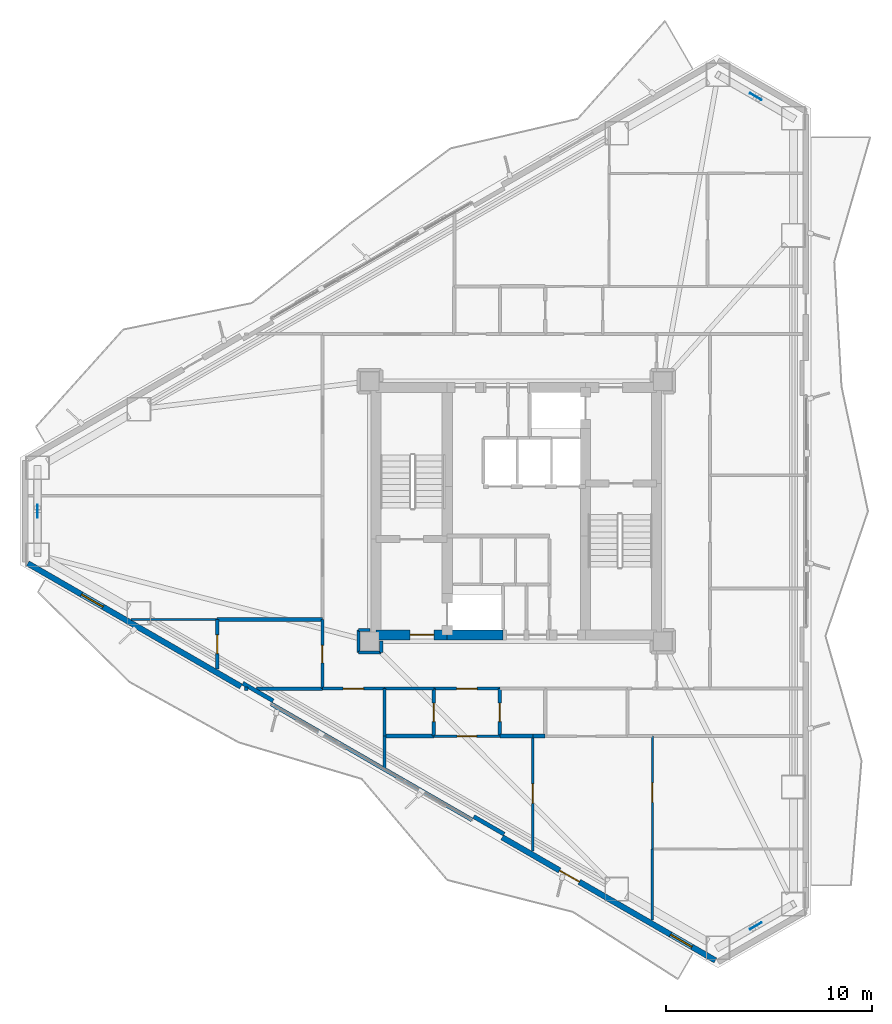
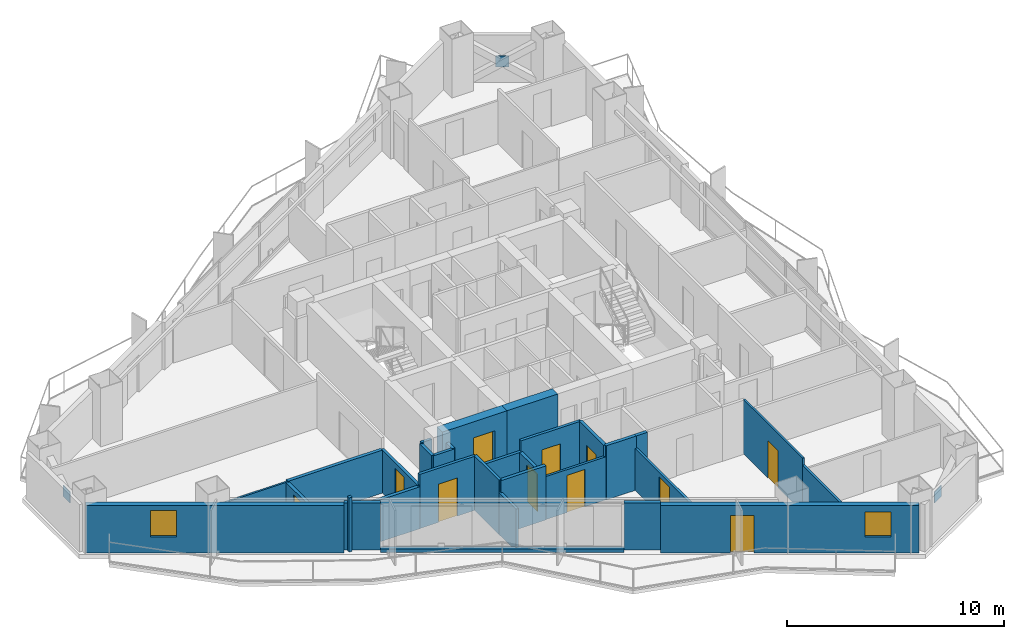
# One storey, part 15 of 22: 31 walls, 11 doors, 3 plates, 2 windows, 13 openings.
"""IFC4 building model written with IfcOpenShell, lengths in metres."""

import ifcopenshell
import ifcopenshell.guid

model = None  # the IFC model being written
_history = None  # IfcOwnerHistory: only IFC2X3 demands one
_inside = {}  # id of a spatial element -> (the spatial element, [elements in it])
_under = {}  # id of a project, library or spatial element -> (it, [spatial elements below it])
_declared = {}  # id of a project -> (the project, [libraries it declares])
_typed = {}  # id of a type object -> (the type object, [elements of that type])
_made_of = {}  # id of a material, layer set ... -> (it, [elements and type objects made of it])


def new_model(schema):
    """Start an empty IFC model of exactly this schema.

    Asked for "IFC4X3", IfcOpenShell would pick the latest addendum, in which some entities
    have other attributes; the version numbers below select the first issue.
    IFC2X3 requires an IfcOwnerHistory on every rooted entity: one is made here for all.
    """
    global model, _history
    if schema == "IFC4X3":
        model = ifcopenshell.file(schema_version=(4, 3, 0, 0))
    else:
        model = ifcopenshell.file(schema=schema)
    _inside.clear()
    _under.clear()
    _declared.clear()
    _typed.clear()
    _made_of.clear()
    _history = None
    if model.schema == "IFC2X3":
        org = make("IfcOrganization", Name="unknown")
        user = make(
            "IfcPersonAndOrganization",
            ThePerson=make("IfcPerson", FamilyName="unknown"),
            TheOrganization=org,
        )
        app = make(
            "IfcApplication",
            ApplicationDeveloper=org,
            Version="unknown",
            ApplicationFullName="unknown",
            ApplicationIdentifier="unknown",
        )
        _history = make(
            "IfcOwnerHistory",
            OwningUser=user,
            OwningApplication=app,
            ChangeAction="ADDED",
            CreationDate=0,
        )
    return model


def make(cls, **values):
    """One entity of the class cls with the attributes given. An attribute that is None is left unset."""
    return model.create_entity(
        cls, **{name: value for name, value in values.items() if value is not None}
    )


def rooted(cls, **values):
    """An entity with a GlobalId (a new one), such as an element, a storey or a relation."""
    return make(cls, GlobalId=ifcopenshell.guid.new(), OwnerHistory=_history, **values)


def si_unit(unit_type, name, prefix=None):
    """IfcSIUnit, for example si_unit("LENGTHUNIT", "METRE", prefix="MILLI")."""
    return make("IfcSIUnit", UnitType=unit_type, Prefix=prefix, Name=name)


def assignment(units):
    """IfcUnitAssignment: the units of a project."""
    return None if units is None else make("IfcUnitAssignment", Units=units)


def point(xyz):
    """IfcCartesianPoint."""
    return None if xyz is None else make("IfcCartesianPoint", Coordinates=xyz)


def direction(xyz):
    """IfcDirection."""
    return None if xyz is None else make("IfcDirection", DirectionRatios=xyz)


def frame(location, z_axis=None, x_axis=None):
    """IfcAxis2Placement3D, a coordinate frame: its origin and axes. An axis left out is left unset."""
    return make(
        "IfcAxis2Placement3D",
        Location=point(location),
        Axis=direction(z_axis),
        RefDirection=direction(x_axis),
    )


def frame_2d(location, x_axis=None):
    """IfcAxis2Placement2D, a coordinate frame in the plane: its origin and x axis."""
    return make(
        "IfcAxis2Placement2D", Location=point(location), RefDirection=direction(x_axis)
    )


def origin():
    """The frame at (0, 0, 0) with its axes left unset."""
    return frame((0.0, 0.0, 0.0))


def origin_2d():
    """The frame at (0, 0) in the plane with its x axis left unset."""
    return frame_2d((0.0, 0.0))


def place(relative_to, where):
    """IfcLocalPlacement: puts the frame where relative to a parent placement (None: the world)."""
    return make(
        "IfcLocalPlacement", PlacementRelTo=relative_to, RelativePlacement=where
    )


def context(
    kind, dimensions, precision=None, world=None, true_north=None, identifier=None
):
    """IfcGeometricRepresentationContext, for example the 3D "Model" context."""
    return make(
        "IfcGeometricRepresentationContext",
        ContextIdentifier=identifier,
        ContextType=kind,
        CoordinateSpaceDimension=dimensions,
        Precision=precision,
        WorldCoordinateSystem=world,
        TrueNorth=true_north,
    )


def subcontext(parent, identifier, kind, view, scale=None):
    """IfcGeometricRepresentationSubContext, for example "Body" below "Model"."""
    return make(
        "IfcGeometricRepresentationSubContext",
        ContextIdentifier=identifier,
        ContextType=kind,
        ParentContext=parent,
        TargetScale=scale,
        TargetView=view,
    )


def project(units=None, contexts=None):
    """IfcProject with its units and contexts."""
    return rooted(
        "IfcProject",
        Name="project",
        RepresentationContexts=contexts,
        UnitsInContext=assignment(units),
    )


def spatial(cls, under=None, at=None, **own):
    """A site, building, storey or space (cls), placed at a placement, below another one or the project."""
    s = rooted(cls, ObjectPlacement=at, **own)
    if under is not None:
        _under.setdefault(under.id(), (under, []))[1].append(s)
    return s


def profile(cls, at=None, kind="AREA", **sizes):
    """A parametric profile (cls). Its sizes go by their IFC names, for example OverallWidth=200.0."""
    return make(cls, ProfileType=kind, Position=at, **sizes)


def rectangle(**sizes):
    """IfcRectangleProfileDef."""
    return profile("IfcRectangleProfileDef", **sizes)


def extrude(swept, where, along, depth):
    """IfcExtrudedAreaSolid: the profile swept, set in the frame where, extruded along a direction by depth."""
    return make(
        "IfcExtrudedAreaSolid",
        SweptArea=swept,
        Position=where,
        ExtrudedDirection=direction(along),
        Depth=depth,
    )


def shape(context_of_items, identifier, shape_type, items):
    """IfcShapeRepresentation: the items that make up one representation, for example the "Body"."""
    return make(
        "IfcShapeRepresentation",
        ContextOfItems=context_of_items,
        RepresentationIdentifier=identifier,
        RepresentationType=shape_type,
        Items=items,
    )


def material(Name=None, Category=None):
    """IfcMaterial."""
    return make("IfcMaterial", Name=Name, Category=Category)


def layer(
    of_material, thickness, ventilated=None, Name=None, Category=None, Priority=None
):
    """IfcMaterialLayer: one layer of a wall or slab, of a material (None: an air gap)."""
    return make(
        "IfcMaterialLayer",
        Material=of_material,
        LayerThickness=thickness,
        IsVentilated=ventilated,
        Name=Name,
        Category=Category,
        Priority=Priority,
    )


def layer_set(layers, Name=None):
    """IfcMaterialLayerSet."""
    return make("IfcMaterialLayerSet", MaterialLayers=layers, LayerSetName=Name)


def made_of(thing, what):
    """Note that an element or type object is made of a material, layer set ...; save() writes the relation."""
    if what is not None:
        _made_of.setdefault(what.id(), (what, []))[1].append(thing)
    return thing


def type_object(cls, material=None, **own):
    """A type object (cls), such as IfcWallType, which elements share."""
    return made_of(rooted(cls, **own), material)


def element(
    cls,
    number,
    at=None,
    inside=None,
    cuts=None,
    type_object=None,
    material=None,
    context=None,
    identifier="Body",
    shape_type=None,
    held_by="IfcProductDefinitionShape",
    body=None,
    shapes=None,
    **own,
):
    """One element of the class cls, such as IfcWall. Its Tag is "e" and its number.

    at: its placement. inside: the storey or other place that contains it. cuts: it is an
    opening in that element (IfcRelVoidsElement). A single representation is given by context,
    identifier, shape_type and body (its items); several are given by shapes. held_by: the class
    of the entity that holds the representations. save() writes the other relations.
    """
    e = rooted(cls, Tag="e%d" % number, ObjectPlacement=at, **own)
    if body is not None:
        shapes = [shape(context, identifier, shape_type, body)]
    if shapes is not None:
        e.Representation = make(held_by, Representations=shapes)
    if inside is not None:
        _inside.setdefault(inside.id(), (inside, []))[1].append(e)
    if cuts is not None:
        rooted(
            "IfcRelVoidsElement", RelatingBuildingElement=cuts, RelatedOpeningElement=e
        )
    if type_object is not None:
        _typed.setdefault(type_object.id(), (type_object, []))[1].append(e)
    return made_of(e, material)


def fill(opening, filler):
    """IfcRelFillsElement: the door or window that sits in an opening."""
    return rooted(
        "IfcRelFillsElement",
        RelatingOpeningElement=opening,
        RelatedBuildingElement=filler,
    )


def aggregate(whole, parts):
    """IfcRelAggregates: a whole, such as a stair, and the parts it consists of."""
    return rooted("IfcRelAggregates", RelatingObject=whole, RelatedObjects=parts)


def save(model, path):
    """Write the relations noted so far, then the file.

    IfcRelAggregates (storeys below a building ...), IfcRelContainedInSpatialStructure (elements
    in a storey), IfcRelDefinesByType, IfcRelAssociatesMaterial and IfcRelDeclares: one each for
    every whole, place, type object, material and project.
    """
    for whole, parts in _under.values():
        aggregate(whole, parts)
    for where, things in _inside.values():
        rooted(
            "IfcRelContainedInSpatialStructure",
            RelatedElements=things,
            RelatingStructure=where,
        )
    for kind, things in _typed.values():
        rooted("IfcRelDefinesByType", RelatedObjects=things, RelatingType=kind)
    for what, things in _made_of.values():
        rooted("IfcRelAssociatesMaterial", RelatedObjects=things, RelatingMaterial=what)
    for by, libraries in _declared.values():
        rooted("IfcRelDeclares", RelatingContext=by, RelatedDefinitions=libraries)
    model.write(path)


model = new_model("IFC4")

# Units and contexts
model_context = context("Model", 3, precision=1e-05, world=origin(), true_north=direction((0.0, 1.0)))
body_context = subcontext(model_context, "Body", "Model", "MODEL_VIEW")
ifc_project = project(units=[si_unit("LENGTHUNIT", "METRE"), si_unit("AREAUNIT", "SQUARE_METRE"), si_unit("VOLUMEUNIT", "CUBIC_METRE"), si_unit("PLANEANGLEUNIT", "RADIAN"), si_unit("MASSUNIT", "GRAM", prefix="KILO")], contexts=[model_context])

# Site, building, storey
site_placement = place(None, origin())
site = spatial("IfcSite", under=ifc_project, at=site_placement, CompositionType="ELEMENT")
building_placement = place(site_placement, origin())
building = spatial("IfcBuilding", under=site, at=building_placement, Name="Mersakhor Tower and Convention Hall", CompositionType="ELEMENT")
storey_placement = place(building_placement, frame((0.0, 0.0, 86.699951171875)))
storey = spatial("IfcBuildingStorey", under=building, at=storey_placement, Name="L23", CompositionType="ELEMENT", Elevation=86.699951171875)

# Plates
ifc_material_1 = material(Name="Steel S460", Category="steel")
ifc_layer_1 = layer(ifc_material_1, 0.0400390625)
ifc_layer_set_1 = layer_set([ifc_layer_1], Name="Steel S460")
plate_type = type_object("IfcPlateType", Name="PL-GUSSET-40", PredefinedType="SHEET", material=ifc_layer_set_1)
for number, where, z_axis, x_axis, name in (
    (1, (40.606689453125, 46.853515625, 1.205078125), (0.0, 0.0, 1.0), (-0.866025403784, 0.5, 0.0), "L23 X-Brace Crossing Gusset Node Plate"),
    (2, (40.606689453125, 6.646728515625, 1.205078125), (0.0, 0.0, 1.0), (0.866025403784, 0.5, 0.0), "L23 X-Brace Crossing Gusset Node Plate"),
    (3, (5.78662109375, 26.75, 1.205078125), (0.0, 0.0, 1.0), (0.0, -1.0, 0.0), "L23 X-Brace Crossing Gusset Node Plate"),
):
    element("IfcPlate", number, at=place(storey_placement, frame(where, z_axis=z_axis, x_axis=x_axis)), inside=storey, type_object=plate_type, Name=name, PredefinedType="SHEET", context=body_context, shape_type="SweptSolid", body=[
        extrude(rectangle(XDim=0.639892578125, YDim=0.0400390625, at=origin_2d()), origin(), (0.0, 0.0, 1.0), 0.639892578125),
    ])

# Wall, openings, door, window
ifc_material_2 = material(Name="Precast concrete C45/55", Category="concrete")
ifc_layer_2 = layer(ifc_material_2, 0.27490234375)
ifc_layer_set_2 = layer_set([ifc_layer_2], Name="Precast concrete C45/55")
wall_type_1 = type_object("IfcWallType", Name="WL-EXT-275", PredefinedType="SOLIDWALL", material=ifc_layer_set_2)
wall_1_placement = place(storey_placement, frame((38.648681640625, 4.973388671875, 0.0), z_axis=(0.0, 0.0, 1.0), x_axis=(-0.866023023012, 0.500004123596, 0.0)))
wall_1 = element("IfcWall", 4, at=wall_1_placement, inside=storey, type_object=wall_type_1, Name="L23 Exterior Facade Wall F3-B1", PredefinedType="SOLIDWALL", context=body_context, shape_type="SweptSolid", body=[
    extrude(rectangle(XDim=11.9296875, YDim=0.27490234375, at=frame_2d((5.96484375, 0.0))), origin(), (0.0, 0.0, 1.0), 2.670166015625),
])
opening_1_placement = place(wall_1_placement, frame((7.615966796875, 0.0, 0.0)))
opening_1 = element("IfcOpeningElement", 5, at=opening_1_placement, cuts=wall_1, Name="Opening BD-02", PredefinedType="OPENING", context=body_context, shape_type="SweptSolid", body=[
    extrude(rectangle(XDim=1.10009765625, YDim=2.10009765625, at=frame_2d((0.550048828125, 1.050048828125))), frame((0.0, 0.1474609375, 0.0), z_axis=(0.0, -1.0, 0.0), x_axis=(1.0, 0.0, 0.0)), (0.0, 0.0, 1.0), 0.294921875),
])
opening_2_placement = place(wall_1_placement, frame((1.304931640625, 0.0, 0.89990234375)))
opening_2 = element("IfcOpeningElement", 6, at=opening_2_placement, cuts=wall_1, Name="Opening W-01", PredefinedType="OPENING", context=body_context, shape_type="SweptSolid", body=[
    extrude(rectangle(XDim=1.199951171875, YDim=1.39990234375, at=frame_2d((0.60009765625, 0.699951171875))), frame((0.0, 0.1474609375, 0.0), z_axis=(0.0, -1.0, 0.0), x_axis=(1.0, 0.0, 0.0)), (0.0, 0.0, 1.0), 0.294921875),
])
ifc_material_3 = material(Name="Thermally broken dark aluminium and safety glass", Category="aluminium")
door_type_1 = type_object("IfcDoorType", Name="DR-BAL-110x210", OperationType="NOTDEFINED", PredefinedType="DOOR", material=ifc_material_3)
door_1_placement = place(opening_1_placement, origin())
door_1 = element("IfcDoor", 7, at=door_1_placement, inside=storey, type_object=door_type_1, Name="L23 Balcony Terrace Door F3-B1", OperationType="SINGLE_SWING_RIGHT", OverallHeight=2.10009765625, OverallWidth=1.10009765625, PredefinedType="DOOR", context=body_context, shape_type="SweptSolid", body=[
    extrude(rectangle(XDim=1.10009765625, YDim=2.10009765625, at=frame_2d((0.550048828125, 1.050048828125))), frame((0.0, 0.02490234375, 0.0), z_axis=(0.0, -1.0, 0.0), x_axis=(1.0, 0.0, 0.0)), (0.0, 0.0, 1.0), 0.050048828125),
])
fill(opening_1, door_1)
ifc_material_4 = material(Name="Dark solar low-E glazed aluminium window", Category="aluminium")
window_type = type_object("IfcWindowType", Name="WN-RES-120x150", PartitioningType="SINGLE_PANEL", PredefinedType="WINDOW", material=ifc_material_4)
window_1_placement = place(opening_2_placement, origin())
window_1 = element("IfcWindow", 8, at=window_1_placement, inside=storey, type_object=window_type, Name="L23 Bedroom Facade Window F3-B1-1", OverallHeight=1.39990234375, OverallWidth=1.199951171875, PartitioningType="SINGLE_PANEL", PredefinedType="WINDOW", context=body_context, shape_type="SweptSolid", body=[
    extrude(rectangle(XDim=1.199951171875, YDim=1.39990234375, at=frame_2d((0.60009765625, 0.699951171875))), frame((0.0, 0.030029296875, 0.0), z_axis=(0.0, -1.0, 0.0), x_axis=(1.0, 0.0, 0.0)), (0.0, 0.0, 1.0), 0.06005859375),
])
fill(opening_2, window_1)

# Wall, opening, window
wall_2_placement = place(storey_placement, frame((15.64794921875, 18.2529296875, 0.0), z_axis=(0.0, 0.0, 1.0), x_axis=(-0.866023023012, 0.500004123596, 0.0)))
wall_2 = element("IfcWall", 9, at=wall_2_placement, inside=storey, type_object=wall_type_1, Name="L23 Exterior Facade Wall F3-B3", PredefinedType="SOLIDWALL", context=body_context, shape_type="SweptSolid", body=[
    extrude(rectangle(XDim=11.9296875, YDim=0.27490234375, at=frame_2d((5.96484375, 0.0))), origin(), (0.0, 0.0, 1.0), 2.670166015625),
])
opening_3_placement = place(wall_2_placement, frame((7.72509765625, 0.0, 0.89990234375)))
opening_3 = element("IfcOpeningElement", 10, at=opening_3_placement, cuts=wall_2, Name="Opening W-01", PredefinedType="OPENING", context=body_context, shape_type="SweptSolid", body=[
    extrude(rectangle(XDim=1.199951171875, YDim=1.5, at=frame_2d((0.60009765625, 0.75))), frame((0.0, 0.1474609375, 0.0), z_axis=(0.0, -1.0, 0.0), x_axis=(1.0, 0.0, 0.0)), (0.0, 0.0, 1.0), 0.294921875),
])
window_2_placement = place(opening_3_placement, origin())
window_2 = element("IfcWindow", 11, at=window_2_placement, inside=storey, type_object=window_type, Name="L23 Facade Punched Window F3-B3", OverallHeight=1.5, OverallWidth=1.199951171875, PartitioningType="SINGLE_PANEL", PredefinedType="WINDOW", context=body_context, shape_type="SweptSolid", body=[
    extrude(rectangle(XDim=1.199951171875, YDim=1.5, at=frame_2d((0.60009765625, 0.75))), frame((0.0, 0.030029296875, 0.0), z_axis=(0.0, -1.0, 0.0), x_axis=(1.0, 0.0, 0.0)), (0.0, 0.0, 1.0), 0.06005859375),
])
fill(opening_3, window_2)

# Walls
ifc_material_5 = material(Name="Precast concrete C40/50", Category="concrete")
ifc_layer_3 = layer(ifc_material_5, 0.199951171875)
ifc_layer_set_3 = layer_set([ifc_layer_3], Name="Precast concrete C40/50")
wall_type_2 = type_object("IfcWallType", Name="WL-PAR-200", PredefinedType="PARAPET", material=ifc_layer_set_3)
wall_3_placement = place(storey_placement, frame((26.84521484375, 11.788330078125, 0.0), z_axis=(0.0, 0.0, 1.0), x_axis=(-0.866027010039, 0.499997217876, 0.0)))
element("IfcWall", 12, at=wall_3_placement, inside=storey, type_object=wall_type_2, Name="L23 Curtain Wall Upstand Sill F3-B2", PredefinedType="PARAPET", context=body_context, shape_type="SweptSolid", body=[
    extrude(rectangle(XDim=11.2294921875, YDim=0.199951171875, at=frame_2d((5.61474609375, 0.0))), origin(), (0.0, 0.0, 1.0), 0.199951171875),
])
wall_4_placement = place(storey_placement, frame((28.407470703125, 11.09423828125, 0.0), z_axis=(0.0, 0.0, 1.0), x_axis=(-0.86605165483, 0.499954529098, 0.0)))
element("IfcWall", 13, at=wall_4_placement, inside=storey, type_object=wall_type_2, Name="L23 Column Pier Cladding Wall F3-C1", PredefinedType="PARAPET", context=body_context, shape_type="SweptSolid", body=[
    extrude(rectangle(XDim=1.699951171875, YDim=0.199951171875, at=frame_2d((0.85009765625, 0.0))), origin(), (0.0, 0.0, 1.0), 2.670166015625),
])
wall_5_placement = place(storey_placement, frame((17.210205078125, 17.558837890625, 0.0), z_axis=(0.0, 0.0, 1.0), x_axis=(-0.866025371046, 0.500000056704, 0.0)))
element("IfcWall", 14, at=wall_5_placement, inside=storey, type_object=wall_type_2, Name="L23 Column Pier Cladding Wall F3-C2", PredefinedType="PARAPET", context=body_context, shape_type="SweptSolid", body=[
    extrude(rectangle(XDim=1.7001953125, YDim=0.199951171875, at=frame_2d((0.85009765625, 0.0))), origin(), (0.0, 0.0, 1.0), 2.670166015625),
])

# Wall, opening, door
ifc_material_6 = material(Name="Moisture-resistant acoustic drywall studwork", Category="other")
ifc_layer_4 = layer(ifc_material_6, 0.175048828125)
ifc_layer_set_4 = layer_set([ifc_layer_4], Name="Moisture-resistant acoustic drywall studwork")
wall_type_3 = type_object("IfcWallType", Name="WL-PLM-175", PredefinedType="PLUMBINGWALL", material=ifc_layer_set_4)
wall_6_placement = place(storey_placement, frame((25.0, 15.85009765625, 0.0), z_axis=(0.0, 0.0, 1.0), x_axis=(0.0, 1.0, 0.0)))
wall_6 = element("IfcWall", 15, at=wall_6_placement, inside=storey, type_object=wall_type_3, Name="L23 Interior Partition Wall P-064", PredefinedType="PLUMBINGWALL", context=body_context, shape_type="SweptSolid", body=[
    extrude(rectangle(XDim=2.2998046875, YDim=0.175048828125, at=frame_2d((1.14990234375, 0.0))), origin(), (0.0, 0.0, 1.0), 2.4228515625),
])
opening_4_placement = place(wall_6_placement, frame((0.699951171875, 0.0, 0.0)))
opening_4 = element("IfcOpeningElement", 16, at=opening_4_placement, cuts=wall_6, Name="Opening WD-01", PredefinedType="OPENING", context=body_context, shape_type="SweptSolid", body=[
    extrude(rectangle(XDim=0.89990234375, YDim=2.10009765625, at=frame_2d((0.449951171875, 1.050048828125))), frame((0.0, 0.097412109375, 0.0), z_axis=(0.0, -1.0, 0.0), x_axis=(1.0, 0.0, 0.0)), (0.0, 0.0, 1.0), 0.195068359375),
])
ifc_material_7 = material(Name="Solid-core hardwood leaf in painted steel frame", Category="steel")
door_type_2 = type_object("IfcDoorType", Name="DR-INT-WET-090x210", OperationType="NOTDEFINED", PredefinedType="DOOR", material=ifc_material_7)
door_2_placement = place(opening_4_placement, origin())
door_2 = element("IfcDoor", 17, at=door_2_placement, inside=storey, type_object=door_type_2, Name="L23 L23 Flat S2 Apartment Hall to L23 Flat S2 Bathroom Door", OperationType="SINGLE_SWING_RIGHT", OverallHeight=2.10009765625, OverallWidth=0.89990234375, PredefinedType="DOOR", context=body_context, shape_type="SweptSolid", body=[
    extrude(rectangle(XDim=0.89990234375, YDim=2.10009765625, at=frame_2d((0.449951171875, 1.050048828125))), frame((0.0, 0.02490234375, 0.0), z_axis=(0.0, -1.0, 0.0), x_axis=(1.0, 0.0, 0.0)), (0.0, 0.0, 1.0), 0.050048828125),
])
fill(opening_4, door_2)

wall_7_placement = place(storey_placement, frame((28.199951171875, 18.14990234375, 0.0), z_axis=(0.0, 0.0, 1.0), x_axis=(0.0, -1.0, 0.0)))
wall_7 = element("IfcWall", 18, at=wall_7_placement, inside=storey, type_object=wall_type_3, Name="L23 Interior Partition Wall P-065", PredefinedType="PLUMBINGWALL", context=body_context, shape_type="SweptSolid", body=[
    extrude(rectangle(XDim=2.2998046875, YDim=0.175048828125, at=frame_2d((1.14990234375, 0.0))), origin(), (0.0, 0.0, 1.0), 3.050048828125),
])
opening_5_placement = place(wall_7_placement, frame((0.699951171875, 0.0, 0.0)))
opening_5 = element("IfcOpeningElement", 19, at=opening_5_placement, cuts=wall_7, Name="Opening WD-01", PredefinedType="OPENING", context=body_context, shape_type="SweptSolid", body=[
    extrude(rectangle(XDim=0.89990234375, YDim=2.10009765625, at=frame_2d((0.449951171875, 1.050048828125))), frame((0.0, 0.097412109375, 0.0), z_axis=(0.0, -1.0, 0.0), x_axis=(1.0, 0.0, 0.0)), (0.0, 0.0, 1.0), 0.195068359375),
])
door_3_placement = place(opening_5_placement, origin())
door_3 = element("IfcDoor", 20, at=door_3_placement, inside=storey, type_object=door_type_2, Name="L23 L23 Flat S2 Apartment Hall to L23 Flat S2 En-Suite Shower Room Door", OperationType="SINGLE_SWING_LEFT", OverallHeight=2.10009765625, OverallWidth=0.89990234375, PredefinedType="DOOR", context=body_context, shape_type="SweptSolid", body=[
    extrude(rectangle(XDim=0.89990234375, YDim=2.10009765625, at=frame_2d((0.449951171875, 1.050048828125))), frame((0.0, 0.02490234375, 0.0), z_axis=(0.0, -1.0, 0.0), x_axis=(1.0, 0.0, 0.0)), (0.0, 0.0, 1.0), 0.050048828125),
])
fill(opening_5, door_3)

# Walls
wall_8_placement = place(storey_placement, frame((14.5, 21.5, 0.0), z_axis=(0.0, 0.0, 1.0), x_axis=(1.0, 0.0, 0.0)))
element("IfcWall", 21, at=wall_8_placement, inside=storey, type_object=wall_type_3, Name="L23 Interior Partition Wall P-069", PredefinedType="PLUMBINGWALL", context=body_context, shape_type="SweptSolid", body=[
    extrude(rectangle(XDim=5.10009765625, YDim=0.175048828125, at=frame_2d((2.550048828125, 0.0))), origin(), (0.0, 0.0, 1.0), 2.4228515625),
])
wall_9_placement = place(storey_placement, frame((19.60009765625, 18.14990234375, 0.0), z_axis=(0.0, 0.0, 1.0), x_axis=(-1.0, 0.0, 0.0)))
element("IfcWall", 22, at=wall_9_placement, inside=storey, type_object=wall_type_3, Name="L23 Interior Partition Wall P-070", PredefinedType="PLUMBINGWALL", context=body_context, shape_type="SweptSolid", body=[
    extrude(rectangle(XDim=3.188232421875, YDim=0.175048828125, at=frame_2d((1.59423828125, 0.0))), origin(), (0.0, 0.0, 1.0), 2.364990234375),
])
wall_10_placement = place(storey_placement, frame((15.981201171875, 18.14990234375, 0.0), z_axis=(0.0, 0.0, 1.0), x_axis=(-1.0, 0.0, 0.0)))
element("IfcWall", 23, at=wall_10_placement, inside=storey, type_object=wall_type_3, Name="L23 Interior Partition Wall P-071", PredefinedType="PLUMBINGWALL", context=body_context, shape_type="SweptSolid", body=[
    extrude(rectangle(XDim=0.1552734375, YDim=0.175048828125, at=frame_2d((0.07763671875, 0.0))), origin(), (0.0, 0.0, 1.0), 3.050048828125),
])

# Wall, opening, door
wall_11_placement = place(storey_placement, frame((14.5, 19.102294921875, 0.0), z_axis=(0.0, 0.0, 1.0), x_axis=(0.0, 1.0, 0.0)))
wall_11 = element("IfcWall", 24, at=wall_11_placement, inside=storey, type_object=wall_type_3, Name="L23 Interior Partition Wall P-072", PredefinedType="PLUMBINGWALL", context=body_context, shape_type="SweptSolid", body=[
    extrude(rectangle(XDim=2.397705078125, YDim=0.175048828125, at=frame_2d((1.19873046875, 0.0))), origin(), (0.0, 0.0, 1.0), 2.364990234375),
])
opening_6_placement = place(wall_11_placement, frame((0.748779296875, 0.0, 0.0)))
opening_6 = element("IfcOpeningElement", 25, at=opening_6_placement, cuts=wall_11, Name="Opening WD-01", PredefinedType="OPENING", context=body_context, shape_type="SweptSolid", body=[
    extrude(rectangle(XDim=0.89990234375, YDim=2.10009765625, at=frame_2d((0.449951171875, 1.050048828125))), frame((0.0, 0.097412109375, 0.0), z_axis=(0.0, -1.0, 0.0), x_axis=(1.0, 0.0, 0.0)), (0.0, 0.0, 1.0), 0.195068359375),
])
door_4_placement = place(opening_6_placement, origin())
door_4 = element("IfcDoor", 26, at=door_4_placement, inside=storey, type_object=door_type_2, Name="L23 L23 West Wing Public Restroom WC to L23 West Wing Quiet Focus Room Door", OperationType="SINGLE_SWING_RIGHT", OverallHeight=2.10009765625, OverallWidth=0.89990234375, PredefinedType="DOOR", context=body_context, shape_type="SweptSolid", body=[
    extrude(rectangle(XDim=0.89990234375, YDim=2.10009765625, at=frame_2d((0.449951171875, 1.050048828125))), frame((0.0, 0.02490234375, 0.0), z_axis=(0.0, -1.0, 0.0), x_axis=(1.0, 0.0, 0.0)), (0.0, 0.0, 1.0), 0.050048828125),
])
fill(opening_6, door_4)

# Walls
wall_12_placement = place(storey_placement, frame((25.0, 15.85009765625, 0.0), z_axis=(0.0, 0.0, 1.0), x_axis=(-1.0, 0.0, 0.0)))
element("IfcWall", 27, at=wall_12_placement, inside=storey, type_object=wall_type_3, Name="L23 Interior Partition Wall P-078", PredefinedType="PLUMBINGWALL", context=body_context, shape_type="SweptSolid", body=[
    extrude(rectangle(XDim=2.39990234375, YDim=0.175048828125, at=frame_2d((1.199951171875, 0.0))), origin(), (0.0, 0.0, 1.0), 3.050048828125),
])
wall_13_placement = place(storey_placement, frame((30.39990234375, 15.85009765625, 0.0), z_axis=(0.0, 0.0, 1.0), x_axis=(-1.0, 0.0, 0.0)))
element("IfcWall", 28, at=wall_13_placement, inside=storey, type_object=wall_type_3, Name="L23 Interior Partition Wall P-080", PredefinedType="PLUMBINGWALL", context=body_context, shape_type="SweptSolid", body=[
    extrude(rectangle(XDim=0.599853515625, YDim=0.175048828125, at=frame_2d((0.2998046875, 0.0))), origin(), (0.0, 0.0, 1.0), 3.050048828125),
])
wall_14_placement = place(storey_placement, frame((29.800048828125, 15.85009765625, 0.0), z_axis=(0.0, 0.0, 1.0), x_axis=(-1.0, 0.0, 0.0)))
element("IfcWall", 29, at=wall_14_placement, inside=storey, type_object=wall_type_3, Name="L23 Interior Partition Wall P-081", PredefinedType="PLUMBINGWALL", context=body_context, shape_type="SweptSolid", body=[
    extrude(rectangle(XDim=1.60009765625, YDim=0.175048828125, at=frame_2d((0.800048828125, 0.0))), origin(), (0.0, 0.0, 1.0), 3.050048828125),
])
ifc_material_8 = material(Name="Lightweight gypsum partition", Category="other")
ifc_layer_5 = layer(ifc_material_8, 0.10009765625)
ifc_layer_set_5 = layer_set([ifc_layer_5], Name="Lightweight gypsum partition")
wall_type_4 = type_object("IfcWallType", Name="WL-PRT-100", PredefinedType="PARTITIONING", material=ifc_layer_set_5)
wall_15_placement = place(storey_placement, frame((14.5, 21.5, 0.0), z_axis=(0.0, 0.0, 1.0), x_axis=(-1.0, 0.0, 0.0)))
element("IfcWall", 30, at=wall_15_placement, inside=storey, type_object=wall_type_4, Name="L23 Interior Partition Wall P-094", PredefinedType="PARTITIONING", context=body_context, shape_type="SweptSolid", body=[
    extrude(rectangle(XDim=4.182373046875, YDim=0.10009765625, at=frame_2d((2.09130859375, 0.0))), origin(), (0.0, 0.0, 1.0), 2.364990234375),
])

# Wall, opening, door
wall_16_placement = place(storey_placement, frame((35.60009765625, 15.85009765625, 0.0), z_axis=(0.0, 0.0, 1.0), x_axis=(0.0, -1.0, 0.0)))
wall_16 = element("IfcWall", 31, at=wall_16_placement, inside=storey, type_object=wall_type_4, Name="L23 Interior Partition Wall P-104", PredefinedType="PARTITIONING", context=body_context, shape_type="SweptSolid", body=[
    extrude(rectangle(XDim=5.47998046875, YDim=0.10009765625, at=frame_2d((2.739990234375, 0.0))), origin(), (0.0, 0.0, 1.0), 3.050048828125),
])
opening_7_placement = place(wall_16_placement, frame((2.264892578125, 0.0, 0.0)))
opening_7 = element("IfcOpeningElement", 32, at=opening_7_placement, cuts=wall_16, Name="Opening RD-01", PredefinedType="OPENING", context=body_context, shape_type="SweptSolid", body=[
    extrude(rectangle(XDim=0.949951171875, YDim=2.10009765625, at=frame_2d((0.47509765625, 1.050048828125))), frame((0.0, 0.06005859375, 0.0), z_axis=(0.0, -1.0, 0.0), x_axis=(1.0, 0.0, 0.0)), (0.0, 0.0, 1.0), 0.1201171875),
])
ifc_material_9 = material(Name="Solid-core hardwood leaf in painted steel frame", Category="steel")
door_type_3 = type_object("IfcDoorType", Name="DR-INT-RM-095x210", OperationType="NOTDEFINED", PredefinedType="DOOR", material=ifc_material_9)
door_5_placement = place(opening_7_placement, origin())
door_5 = element("IfcDoor", 33, at=door_5_placement, inside=storey, type_object=door_type_3, Name="L23 L23 Flat S2 Master Bedroom to L23 Flat S2 Dining Room Door", OperationType="SINGLE_SWING_LEFT", OverallHeight=2.10009765625, OverallWidth=0.949951171875, PredefinedType="DOOR", context=body_context, shape_type="SweptSolid", body=[
    extrude(rectangle(XDim=0.949951171875, YDim=2.10009765625, at=frame_2d((0.47509765625, 1.050048828125))), frame((0.0, 0.02490234375, 0.0), z_axis=(0.0, -1.0, 0.0), x_axis=(1.0, 0.0, 0.0)), (0.0, 0.0, 1.0), 0.050048828125),
])
fill(opening_7, door_5)

ifc_material_10 = material(Name="Gypsum board acoustic partition", Category="other")
ifc_layer_6 = layer(ifc_material_10, 0.125)
ifc_layer_set_6 = layer_set([ifc_layer_6], Name="Gypsum board acoustic partition")
wall_type_5 = type_object("IfcWallType", Name="WL-PRT-125", PredefinedType="PARTITIONING", material=ifc_layer_set_6)
wall_17_placement = place(storey_placement, frame((28.199951171875, 15.85009765625, 0.0), z_axis=(0.0, 0.0, 1.0), x_axis=(-1.0, 0.0, 0.0)))
wall_17 = element("IfcWall", 34, at=wall_17_placement, inside=storey, type_object=wall_type_5, Name="L23 Interior Partition Wall P-063", PredefinedType="PARTITIONING", context=body_context, shape_type="SweptSolid", body=[
    extrude(rectangle(XDim=3.199951171875, YDim=0.125, at=frame_2d((1.60009765625, 0.0))), origin(), (0.0, 0.0, 1.0), 2.4228515625),
])
opening_8_placement = place(wall_17_placement, frame((1.125, 0.0, 0.0)))
opening_8 = element("IfcOpeningElement", 35, at=opening_8_placement, cuts=wall_17, Name="Opening RD-01", PredefinedType="OPENING", context=body_context, shape_type="SweptSolid", body=[
    extrude(rectangle(XDim=0.949951171875, YDim=2.10009765625, at=frame_2d((0.47509765625, 1.050048828125))), frame((0.0, 0.072509765625, 0.0), z_axis=(0.0, -1.0, 0.0), x_axis=(1.0, 0.0, 0.0)), (0.0, 0.0, 1.0), 0.14501953125),
])
door_6_placement = place(opening_8_placement, origin())
door_6 = element("IfcDoor", 36, at=door_6_placement, inside=storey, type_object=door_type_3, Name="L23 L23 Flat S2 Apartment Hall to L23 Flat S2 Living and Dining Room Door", OperationType="SINGLE_SWING_RIGHT", OverallHeight=2.10009765625, OverallWidth=0.949951171875, PredefinedType="DOOR", context=body_context, shape_type="SweptSolid", body=[
    extrude(rectangle(XDim=0.949951171875, YDim=2.10009765625, at=frame_2d((0.47509765625, 1.050048828125))), frame((0.0, 0.02490234375, 0.0), z_axis=(0.0, -1.0, 0.0), x_axis=(1.0, 0.0, 0.0)), (0.0, 0.0, 1.0), 0.050048828125),
])
fill(opening_8, door_6)

wall_18_placement = place(storey_placement, frame((29.800048828125, 15.85009765625, 0.0), z_axis=(0.0, 0.0, 1.0), x_axis=(0.0, -1.0, 0.0)))
wall_18 = element("IfcWall", 37, at=wall_18_placement, inside=storey, type_object=wall_type_5, Name="L23 Interior Partition Wall P-103", PredefinedType="PARTITIONING", context=body_context, shape_type="SweptSolid", body=[
    extrude(rectangle(XDim=5.581298828125, YDim=0.125, at=frame_2d((2.79052734375, 0.0))), origin(), (0.0, 0.0, 1.0), 2.364990234375),
])
opening_9_placement = place(wall_18_placement, frame((2.3154296875, 0.0, 0.0)))
opening_9 = element("IfcOpeningElement", 38, at=opening_9_placement, cuts=wall_18, Name="Opening RD-01", PredefinedType="OPENING", context=body_context, shape_type="SweptSolid", body=[
    extrude(rectangle(XDim=0.949951171875, YDim=2.10009765625, at=frame_2d((0.47509765625, 1.050048828125))), frame((0.0, 0.072509765625, 0.0), z_axis=(0.0, -1.0, 0.0), x_axis=(1.0, 0.0, 0.0)), (0.0, 0.0, 1.0), 0.14501953125),
])
door_7_placement = place(opening_9_placement, origin())
door_7 = element("IfcDoor", 39, at=door_7_placement, inside=storey, type_object=door_type_3, Name="L23 L23 Flat S2 Living and Dining Room to L23 Flat S2 Master Bedroom Door", OperationType="SINGLE_SWING_RIGHT", OverallHeight=2.10009765625, OverallWidth=0.949951171875, PredefinedType="DOOR", context=body_context, shape_type="SweptSolid", body=[
    extrude(rectangle(XDim=0.949951171875, YDim=2.10009765625, at=frame_2d((0.47509765625, 1.050048828125))), frame((0.0, 0.02490234375, 0.0), z_axis=(0.0, -1.0, 0.0), x_axis=(1.0, 0.0, 0.0)), (0.0, 0.0, 1.0), 0.050048828125),
])
fill(opening_9, door_7)

# Walls
wall_19_placement = place(storey_placement, frame((35.60009765625, 10.3701171875, 0.0), z_axis=(0.0, 0.0, 1.0), x_axis=(0.0, -1.0, 0.0)))
element("IfcWall", 40, at=wall_19_placement, inside=storey, type_object=wall_type_5, Name="L23 Interior Partition Wall P-105", PredefinedType="PARTITIONING", context=body_context, shape_type="SweptSolid", body=[
    extrude(rectangle(XDim=3.449951171875, YDim=0.125, at=frame_2d((1.72509765625, 0.0))), origin(), (0.0, 0.0, 1.0), 2.660400390625),
])
ifc_material_11 = material(Name="Fire-rated gypsum board stud partition", Category="other")
ifc_layer_7 = layer(ifc_material_11, 0.14990234375)
ifc_layer_set_7 = layer_set([ifc_layer_7], Name="Fire-rated gypsum board stud partition")
wall_type_6 = type_object("IfcWallType", Name="WL-PRT-150", PredefinedType="PARTITIONING", material=ifc_layer_set_7)
wall_20_placement = place(storey_placement, frame((21.35009765625, 19.89990234375, 0.0), z_axis=(0.0, 0.0, 1.0), x_axis=(1.0, 0.0, 0.0)))
element("IfcWall", 41, at=wall_20_placement, inside=storey, type_object=wall_type_6, Name="L23 Interior Partition Wall P-021", PredefinedType="PARTITIONING", context=body_context, shape_type="SweptSolid", body=[
    extrude(rectangle(XDim=1.099853515625, YDim=0.14990234375, at=frame_2d((0.5498046875, 0.0))), origin(), (0.0, 0.0, 1.0), 2.4228515625),
])
wall_21_placement = place(storey_placement, frame((22.449951171875, 19.89990234375, 0.0), z_axis=(0.0, 0.0, 1.0), x_axis=(0.0, 1.0, 0.0)))
element("IfcWall", 42, at=wall_21_placement, inside=storey, type_object=wall_type_6, Name="L23 Interior Partition Wall P-022", PredefinedType="PARTITIONING", context=body_context, shape_type="SweptSolid", body=[
    extrude(rectangle(XDim=0.550048828125, YDim=0.14990234375, at=frame_2d((0.27490234375, 0.0))), origin(), (0.0, 0.0, 1.0), 2.4228515625),
])

# Wall, opening, door
wall_22_placement = place(storey_placement, frame((28.199951171875, 18.14990234375, 0.0), z_axis=(0.0, 0.0, 1.0), x_axis=(-1.0, 0.0, 0.0)))
wall_22 = element("IfcWall", 43, at=wall_22_placement, inside=storey, type_object=wall_type_6, Name="L23 Interior Partition Wall P-029", PredefinedType="PARTITIONING", context=body_context, shape_type="SweptSolid", body=[
    extrude(rectangle(XDim=3.199951171875, YDim=0.14990234375, at=frame_2d((1.60009765625, 0.0))), origin(), (0.0, 0.0, 1.0), 3.050048828125),
])
opening_10_placement = place(wall_22_placement, frame((1.10009765625, 0.0, 0.0)))
opening_10 = element("IfcOpeningElement", 44, at=opening_10_placement, cuts=wall_22, Name="Opening FD-01", PredefinedType="OPENING", context=body_context, shape_type="SweptSolid", body=[
    extrude(rectangle(XDim=1.0, YDim=2.14990234375, at=frame_2d((0.5, 1.074951171875))), frame((0.0, 0.0849609375, 0.0), z_axis=(0.0, -1.0, 0.0), x_axis=(1.0, 0.0, 0.0)), (0.0, 0.0, 1.0), 0.169921875),
])
ifc_material_12 = material(Name="Fire-rated hardwood leaf and painted steel frame", Category="steel")
door_type_4 = type_object("IfcDoorType", Name="DR-INT-FLT-100x215", OperationType="NOTDEFINED", PredefinedType="DOOR", material=ifc_material_12)
door_8_placement = place(opening_10_placement, origin())
door_8 = element("IfcDoor", 45, at=door_8_placement, inside=storey, type_object=door_type_4, Name="L23 Apartment Entrance Door (Residential Ring Corridor to L23 Flat S2 Apartment Hall)", OperationType="SINGLE_SWING_RIGHT", OverallHeight=2.14990234375, OverallWidth=1.0, PredefinedType="DOOR", context=body_context, shape_type="SweptSolid", body=[
    extrude(rectangle(XDim=1.0, YDim=2.14990234375, at=frame_2d((0.5, 1.074951171875))), frame((0.0, 0.02490234375, 0.0), z_axis=(0.0, -1.0, 0.0), x_axis=(1.0, 0.0, 0.0)), (0.0, 0.0, 1.0), 0.050048828125),
])
fill(opening_10, door_8)

# Wall
wall_23_placement = place(storey_placement, frame((25.0, 18.14990234375, 0.0), z_axis=(0.0, 0.0, 1.0), x_axis=(-1.0, 0.0, 0.0)))
element("IfcWall", 46, at=wall_23_placement, inside=storey, type_object=wall_type_6, Name="L23 Interior Partition Wall P-030", PredefinedType="PARTITIONING", context=body_context, shape_type="SweptSolid", body=[
    extrude(rectangle(XDim=2.39990234375, YDim=0.14990234375, at=frame_2d((1.199951171875, 0.0))), origin(), (0.0, 0.0, 1.0), 2.4228515625),
])

# Wall, opening, door
wall_24_placement = place(storey_placement, frame((22.60009765625, 18.14990234375, 0.0), z_axis=(0.0, 0.0, 1.0), x_axis=(-1.0, 0.0, 0.0)))
wall_24 = element("IfcWall", 47, at=wall_24_placement, inside=storey, type_object=wall_type_6, Name="L23 Interior Partition Wall P-031", PredefinedType="PARTITIONING", context=body_context, shape_type="SweptSolid", body=[
    extrude(rectangle(XDim=3.0, YDim=0.14990234375, at=frame_2d((1.5, 0.0))), origin(), (0.0, 0.0, 1.0), 3.050048828125),
])
opening_11_placement = place(wall_24_placement, frame((1.0, 0.0, 0.0)))
opening_11 = element("IfcOpeningElement", 48, at=opening_11_placement, cuts=wall_24, Name="Opening FD-01", PredefinedType="OPENING", context=body_context, shape_type="SweptSolid", body=[
    extrude(rectangle(XDim=1.0, YDim=2.14990234375, at=frame_2d((0.5, 1.074951171875))), frame((0.0, 0.0849609375, 0.0), z_axis=(0.0, -1.0, 0.0), x_axis=(1.0, 0.0, 0.0)), (0.0, 0.0, 1.0), 0.169921875),
])
door_9_placement = place(opening_11_placement, origin())
door_9 = element("IfcDoor", 49, at=door_9_placement, inside=storey, type_object=door_type_4, Name="L23 Residential Ring Corridor to L23 South-West Quiet Study Room Door", OperationType="SINGLE_SWING_RIGHT", OverallHeight=2.14990234375, OverallWidth=1.0, PredefinedType="DOOR", context=body_context, shape_type="SweptSolid", body=[
    extrude(rectangle(XDim=1.0, YDim=2.14990234375, at=frame_2d((0.5, 1.074951171875))), frame((0.0, 0.02490234375, 0.0), z_axis=(0.0, -1.0, 0.0), x_axis=(1.0, 0.0, 0.0)), (0.0, 0.0, 1.0), 0.050048828125),
])
fill(opening_11, door_9)

wall_25_placement = place(storey_placement, frame((19.60009765625, 18.14990234375, 0.0), z_axis=(0.0, 0.0, 1.0), x_axis=(0.0, 1.0, 0.0)))
wall_25 = element("IfcWall", 50, at=wall_25_placement, inside=storey, type_object=wall_type_6, Name="L23 Interior Partition Wall P-032", PredefinedType="PARTITIONING", context=body_context, shape_type="SweptSolid", body=[
    extrude(rectangle(XDim=3.35009765625, YDim=0.14990234375, at=frame_2d((1.675048828125, 0.0))), origin(), (0.0, 0.0, 1.0), 2.4228515625),
])
opening_12_placement = place(wall_25_placement, frame((1.25, 0.0, 0.0)))
opening_12 = element("IfcOpeningElement", 51, at=opening_12_placement, cuts=wall_25, Name="Opening SVD-01", PredefinedType="OPENING", context=body_context, shape_type="SweptSolid", body=[
    extrude(rectangle(XDim=0.85009765625, YDim=2.10009765625, at=frame_2d((0.425048828125, 1.050048828125))), frame((0.0, 0.0849609375, 0.0), z_axis=(0.0, -1.0, 0.0), x_axis=(1.0, 0.0, 0.0)), (0.0, 0.0, 1.0), 0.169921875),
])
ifc_material_13 = material(Name="Fire-rated hardwood leaf and painted steel frame", Category="steel")
door_type_5 = type_object("IfcDoorType", Name="DR-INT-SVC-085x210", OperationType="NOTDEFINED", PredefinedType="DOOR", material=ifc_material_13)
door_10_placement = place(opening_12_placement, origin())
door_10 = element("IfcDoor", 52, at=door_10_placement, inside=storey, type_object=door_type_5, Name="L23 Residential Ring Corridor to L23 West Wing Public Restroom WC Door", OperationType="SINGLE_SWING_RIGHT", OverallHeight=2.10009765625, OverallWidth=0.85009765625, PredefinedType="DOOR", context=body_context, shape_type="SweptSolid", body=[
    extrude(rectangle(XDim=0.85009765625, YDim=2.10009765625, at=frame_2d((0.425048828125, 1.050048828125))), frame((0.0, 0.02490234375, 0.0), z_axis=(0.0, -1.0, 0.0), x_axis=(1.0, 0.0, 0.0)), (0.0, 0.0, 1.0), 0.050048828125),
])
fill(opening_12, door_10)

# Walls
wall_26_placement = place(storey_placement, frame((21.89990234375, 21.0, 0.0), z_axis=(0.0, 0.0, 1.0), x_axis=(-1.0, 0.0, 0.0)))
element("IfcWall", 53, at=wall_26_placement, inside=storey, type_object=wall_type_6, Name="L23 Interior Partition Wall P-047", PredefinedType="PARTITIONING", context=body_context, shape_type="SweptSolid", body=[
    extrude(rectangle(XDim=0.5498046875, YDim=0.14990234375, at=frame_2d((0.27490234375, 0.0))), origin(), (0.0, 0.0, 1.0), 2.498291015625),
])
wall_27_placement = place(storey_placement, frame((21.35009765625, 21.0, 0.0), z_axis=(0.0, 0.0, 1.0), x_axis=(0.0, -1.0, 0.0)))
element("IfcWall", 54, at=wall_27_placement, inside=storey, type_object=wall_type_6, Name="L23 Interior Partition Wall P-048", PredefinedType="PARTITIONING", context=body_context, shape_type="SweptSolid", body=[
    extrude(rectangle(XDim=1.10009765625, YDim=0.14990234375, at=frame_2d((0.550048828125, 0.0))), origin(), (0.0, 0.0, 1.0), 2.4228515625),
])
wall_28_placement = place(storey_placement, frame((22.60009765625, 15.85009765625, 0.0), z_axis=(0.0, 0.0, 1.0), x_axis=(0.0, 1.0, 0.0)))
element("IfcWall", 55, at=wall_28_placement, inside=storey, type_object=wall_type_6, Name="L23 Interior Partition Wall P-079", PredefinedType="PARTITIONING", context=body_context, shape_type="SweptSolid", body=[
    extrude(rectangle(XDim=2.2998046875, YDim=0.14990234375, at=frame_2d((1.14990234375, 0.0))), origin(), (0.0, 0.0, 1.0), 3.050048828125),
])
wall_29_placement = place(storey_placement, frame((22.60009765625, 15.85009765625, 0.0), z_axis=(0.0, 0.0, 1.0), x_axis=(0.0, -1.0, 0.0)))
element("IfcWall", 56, at=wall_29_placement, inside=storey, type_object=wall_type_6, Name="L23 Interior Partition Wall P-092", PredefinedType="PARTITIONING", context=body_context, shape_type="SweptSolid", body=[
    extrude(rectangle(XDim=1.5693359375, YDim=0.14990234375, at=frame_2d((0.78466796875, 0.0))), origin(), (0.0, 0.0, 1.0), 2.364990234375),
])
ifc_material_14 = material(Name="Concrete C70/85", Category="concrete")
ifc_layer_8 = layer(ifc_material_14, 0.5)
ifc_layer_set_8 = layer_set([ifc_layer_8], Name="Concrete C70/85")
wall_type_7 = type_object("IfcWallType", Name="WL-SHR-500", PredefinedType="SHEAR", material=ifc_layer_set_8)
wall_30_placement = place(storey_placement, frame((28.35009765625, 20.75, 0.0), z_axis=(0.0, 0.0, 1.0), x_axis=(-1.0, 0.0, 0.0)))
element("IfcWall", 57, at=wall_30_placement, inside=storey, type_object=wall_type_7, Name="L23 Core Wall CW-S3", PredefinedType="SHEAR", context=body_context, shape_type="SweptSolid", body=[
    extrude(rectangle(XDim=2.7001953125, YDim=0.5, at=frame_2d((1.35009765625, 0.0))), origin(), (0.0, 0.0, 1.0), 3.050048828125),
])

# Wall, opening, door
wall_31_placement = place(storey_placement, frame((25.64990234375, 20.75, 0.0), z_axis=(0.0, 0.0, 1.0), x_axis=(-1.0, 0.0, 0.0)))
wall_31 = element("IfcWall", 58, at=wall_31_placement, inside=storey, type_object=wall_type_7, Name="L23 Core Wall CW-S4", PredefinedType="SHEAR", context=body_context, shape_type="SweptSolid", body=[
    extrude(rectangle(XDim=3.449951171875, YDim=0.5, at=frame_2d((1.72509765625, 0.0))), origin(), (0.0, 0.0, 1.0), 3.050048828125),
])
opening_13_placement = place(wall_31_placement, frame((0.64990234375, 0.0, 0.0)))
opening_13 = element("IfcOpeningElement", 59, at=opening_13_placement, cuts=wall_31, Name="Opening SD-01", PredefinedType="OPENING", context=body_context, shape_type="SweptSolid", body=[
    extrude(rectangle(XDim=1.14990234375, YDim=2.14990234375, at=frame_2d((0.574951171875, 1.074951171875))), frame((0.0, 0.260009765625, 0.0), z_axis=(0.0, -1.0, 0.0), x_axis=(1.0, 0.0, 0.0)), (0.0, 0.0, 1.0), 0.52001953125),
])
ifc_material_15 = material(Name="Fire-rated hardwood leaf and painted steel frame", Category="steel")
door_type_6 = type_object("IfcDoorType", Name="DR-INT-STAIR-115x215", OperationType="NOTDEFINED", PredefinedType="DOOR", material=ifc_material_15)
door_11_placement = place(opening_13_placement, origin())
door_11 = element("IfcDoor", 60, at=door_11_placement, inside=storey, type_object=door_type_6, Name="L23 Firefighting Lobby West Fire Door", OperationType="SINGLE_SWING_LEFT", OverallHeight=2.14990234375, OverallWidth=1.14990234375, PredefinedType="DOOR", context=body_context, shape_type="SweptSolid", body=[
    extrude(rectangle(XDim=1.14990234375, YDim=2.14990234375, at=frame_2d((0.574951171875, 1.074951171875))), frame((0.0, 0.02490234375, 0.0), z_axis=(0.0, -1.0, 0.0), x_axis=(1.0, 0.0, 0.0)), (0.0, 0.0, 1.0), 0.050048828125),
])
fill(opening_13, door_11)

save(model, "model.ifc")
